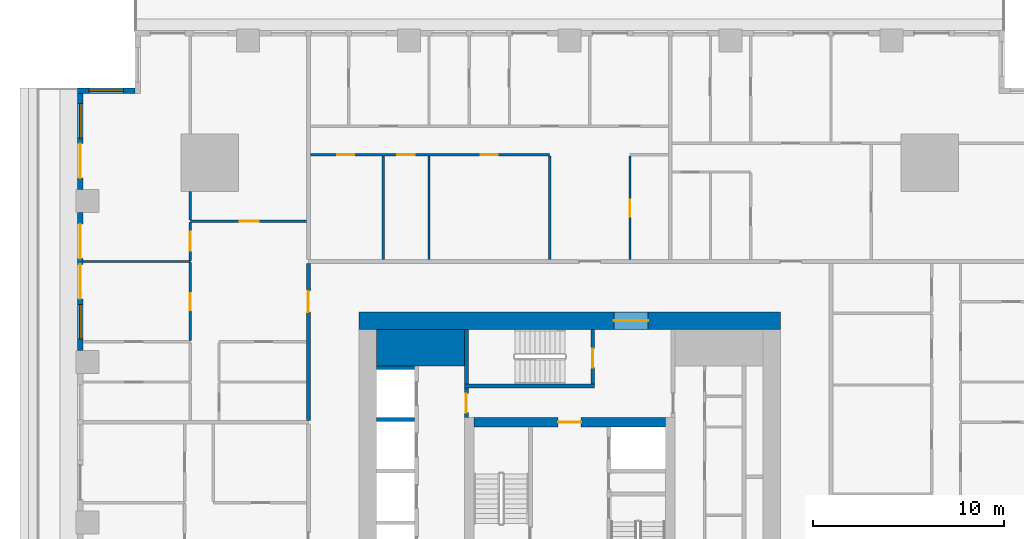
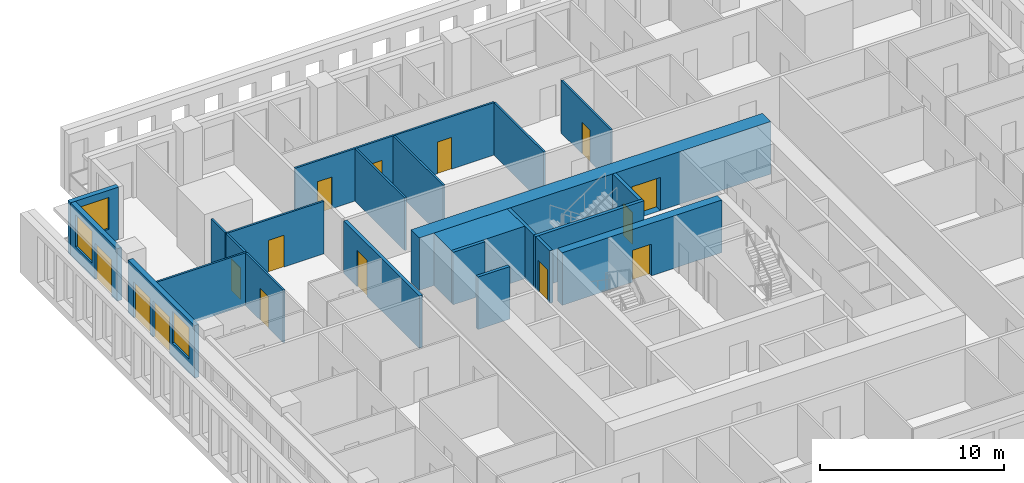
# One storey, part 7 of 15: 23 walls, 15 doors, 3 windows, 18 openings.
"""IFC4 building model written with IfcOpenShell, lengths in metres."""

from ifc_helpers import new_model, si_unit, direction, frame, frame_2d, origin, place, context, subcontext, project, spatial, rectangle, extrude, material, layer, layer_set, type_object, element, fill, save


model = new_model("IFC4")

# Units and contexts
model_context = context("Model", 3, precision=1e-05, world=origin(), true_north=direction((0.0, 1.0)))
body_context = subcontext(model_context, "Body", "Model", "MODEL_VIEW")
ifc_project = project(units=[si_unit("LENGTHUNIT", "METRE"), si_unit("AREAUNIT", "SQUARE_METRE"), si_unit("VOLUMEUNIT", "CUBIC_METRE"), si_unit("PLANEANGLEUNIT", "RADIAN"), si_unit("MASSUNIT", "GRAM", prefix="KILO")], contexts=[model_context])

# Site, building, storey
site_placement = place(None, origin())
site = spatial("IfcSite", under=ifc_project, at=site_placement, CompositionType="ELEMENT")
building_placement = place(site_placement, origin())
building = spatial("IfcBuilding", under=site, at=building_placement, Name="Khepri Terraces", CompositionType="ELEMENT")
storey_placement = place(building_placement, frame((0.0, 0.0, 50.39990234375)))
storey = spatial("IfcBuildingStorey", under=building, at=storey_placement, Name="L11", CompositionType="ELEMENT", Elevation=50.39990234375)

# Walls
ifc_material_1 = material(Name="Concrete C80/95", Category="concrete")
ifc_layer_1 = layer(ifc_material_1, 1.89990234375, Name="Concrete C80/95", Category="concrete")
ifc_layer_set_1 = layer_set([ifc_layer_1], Name="Concrete C80/95")
wall_type_1 = type_object("IfcWallType", Name="Core wall 1900 C80/95", PredefinedType="SHEAR", material=ifc_layer_set_1)
wall_1_placement = place(storey_placement, frame((-10.10009765625, 9.14990234375, 0.0), z_axis=(0.0, 0.0, 1.0), x_axis=(1.0, 0.0, 0.0)))
element("IfcWall", 1, at=wall_1_placement, inside=storey, type_object=wall_type_1, Name="Core wall PR03 L11", PredefinedType="SHEAR", context=body_context, shape_type="SweptSolid", body=[
    extrude(rectangle(XDim=4.60009765625, YDim=1.89990234375, at=frame_2d((2.300048828125, 0.0))), origin(), (0.0, 0.0, 1.0), 3.47998046875),
])
ifc_layer_2 = layer(ifc_material_1, 0.199951171875, Name="Concrete C80/95", Category="concrete")
ifc_layer_set_2 = layer_set([ifc_layer_2], Name="Concrete C80/95")
wall_type_2 = type_object("IfcWallType", Name="Core wall 200 C80/95", PredefinedType="SHEAR", material=ifc_layer_set_2)
wall_2_placement = place(storey_placement, frame((-5.5, 7.14990234375, 0.0), z_axis=(0.0, 0.0, 1.0), x_axis=(1.0, 0.0, 0.0)))
element("IfcWall", 2, at=wall_2_placement, inside=storey, type_object=wall_type_2, Name="Core wall ST05 L11", PredefinedType="SHEAR", context=body_context, shape_type="SweptSolid", body=[
    extrude(rectangle(XDim=6.800048828125, YDim=0.199951171875, at=frame_2d((3.39990234375, 0.0))), origin(), (0.0, 0.0, 1.0), 3.47998046875),
])
wall_3_placement = place(storey_placement, frame((-5.39990234375, 7.25, 0.0), z_axis=(0.0, 0.0, 1.0), x_axis=(0.0, 1.0, 0.0)))
element("IfcWall", 3, at=wall_3_placement, inside=storey, type_object=wall_type_2, Name="Core wall ST06 L11", PredefinedType="SHEAR", context=body_context, shape_type="SweptSolid", body=[
    extrude(rectangle(XDim=2.85009765625, YDim=0.199951171875, at=frame_2d((1.425048828125, 0.0))), origin(), (0.0, 0.0, 1.0), 3.47998046875),
])

# Wall, opening, door
wall_4_placement = place(storey_placement, frame((1.199951171875, 7.25, 0.0), z_axis=(0.0, 0.0, 1.0), x_axis=(0.0, 1.0, 0.0)))
wall_4 = element("IfcWall", 4, at=wall_4_placement, inside=storey, type_object=wall_type_2, Name="Core wall ST07 L11", PredefinedType="SHEAR", context=body_context, shape_type="SweptSolid", body=[
    extrude(rectangle(XDim=2.85009765625, YDim=0.199951171875, at=frame_2d((1.425048828125, 0.0))), origin(), (0.0, 0.0, 1.0), 3.47998046875),
])
opening_1_placement = place(wall_4_placement, frame((0.85009765625, 0.0, 0.0)))
opening_1 = element("IfcOpeningElement", 5, at=opening_1_placement, cuts=wall_4, Name="Opening L11-C15", PredefinedType="OPENING", context=body_context, shape_type="SweptSolid", body=[
    extrude(rectangle(XDim=1.0, YDim=2.10009765625, at=frame_2d((0.5, 1.050048828125))), frame((0.0, 0.10986328125, 0.0), z_axis=(0.0, -1.0, 0.0), x_axis=(1.0, 0.0, 0.0)), (0.0, 0.0, 1.0), 0.219970703125),
])
ifc_material_2 = material(Name="Painted steel", Category="steel")
door_type_1 = type_object("IfcDoorType", Name="DR-CORE-STAIR-1000", OperationType="NOTDEFINED", PredefinedType="DOOR", material=ifc_material_2)
door_1_placement = place(opening_1_placement, origin())
door_1 = element("IfcDoor", 6, at=door_1_placement, inside=storey, type_object=door_type_1, Name="Stair door L11-C15", OperationType="SINGLE_SWING_LEFT", OverallHeight=2.10009765625, OverallWidth=1.0, PredefinedType="DOOR", context=body_context, shape_type="SweptSolid", body=[
    extrude(rectangle(XDim=1.0, YDim=2.10009765625, at=frame_2d((0.5, 1.050048828125))), frame((0.0, 0.02490234375, 0.0), z_axis=(0.0, -1.0, 0.0), x_axis=(1.0, 0.0, 0.0)), (0.0, 0.0, 1.0), 0.050048828125),
])
fill(opening_1, door_1)

# Walls
for number, where, z_axis, x_axis, name in (
    (7, (-10.10009765625, 5.39990234375, 0.0), (0.0, 0.0, 1.0), (1.0, 0.0, 0.0), "Core wall SH19 L11"),
    (8, (-10.10009765625, 8.10009765625, 0.0), (0.0, 0.0, 1.0), (1.0, 0.0, 0.0), "Core wall SH20 L11"),
):
    element("IfcWall", number, at=place(storey_placement, frame(where, z_axis=z_axis, x_axis=x_axis)), inside=storey, type_object=wall_type_2, Name=name, PredefinedType="SHEAR", context=body_context, shape_type="SweptSolid", body=[
        extrude(rectangle(XDim=2.0, YDim=0.199951171875, at=frame_2d((1.0, 0.0))), origin(), (0.0, 0.0, 1.0), 3.47998046875),
    ])

# Wall, opening, door
ifc_layer_3 = layer(ifc_material_1, 0.5, Name="Concrete C80/95", Category="concrete")
ifc_layer_set_3 = layer_set([ifc_layer_3], Name="Concrete C80/95")
wall_type_3 = type_object("IfcWallType", Name="Core wall 500 C80/95", PredefinedType="SHEAR", material=ifc_layer_set_3)
wall_5_placement = place(storey_placement, frame((-5.0, 5.25, 0.0), z_axis=(0.0, 0.0, 1.0), x_axis=(1.0, 0.0, 0.0)))
wall_5 = element("IfcWall", 9, at=wall_5_placement, inside=storey, type_object=wall_type_3, Name="Core wall BX04 L11", PredefinedType="SHEAR", context=body_context, shape_type="SweptSolid", body=[
    extrude(rectangle(XDim=10.0, YDim=0.5, at=frame_2d((5.0, 0.0))), origin(), (0.0, 0.0, 1.0), 3.47998046875),
])
opening_2_placement = place(wall_5_placement, frame((4.39990234375, 0.0, 0.0)))
opening_2 = element("IfcOpeningElement", 10, at=opening_2_placement, cuts=wall_5, Name="Opening L11-C13", PredefinedType="OPENING", context=body_context, shape_type="SweptSolid", body=[
    extrude(rectangle(XDim=1.199951171875, YDim=2.10009765625, at=frame_2d((0.60009765625, 1.050048828125))), frame((0.0, 0.260009765625, 0.0), z_axis=(0.0, -1.0, 0.0), x_axis=(1.0, 0.0, 0.0)), (0.0, 0.0, 1.0), 0.52001953125),
])
door_type_2 = type_object("IfcDoorType", Name="DR-CORE-FF-LOBBY-1200", OperationType="NOTDEFINED", PredefinedType="DOOR", material=ifc_material_2)
door_2_placement = place(opening_2_placement, frame((1.199951171875, 0.0, 0.0), z_axis=(0.0, 0.0, 1.0), x_axis=(-1.0, 0.0, 0.0)))
door_2 = element("IfcDoor", 11, at=door_2_placement, inside=storey, type_object=door_type_2, Name="Firefighting lobby door L11-C13", OperationType="SINGLE_SWING_LEFT", OverallHeight=2.10009765625, OverallWidth=1.199951171875, PredefinedType="DOOR", context=body_context, shape_type="SweptSolid", body=[
    extrude(rectangle(XDim=1.199951171875, YDim=2.10009765625, at=frame_2d((0.60009765625, 1.050048828125))), frame((0.0, 0.02490234375, 0.0), z_axis=(0.0, -1.0, 0.0), x_axis=(1.0, 0.0, 0.0)), (0.0, 0.0, 1.0), 0.050048828125),
])
fill(opening_2, door_2)

ifc_layer_4 = layer(ifc_material_1, 0.89990234375, Name="Concrete C80/95", Category="concrete")
ifc_layer_set_4 = layer_set([ifc_layer_4], Name="Concrete C80/95")
wall_type_4 = type_object("IfcWallType", Name="Core wall 900 C80/95", PredefinedType="SHEAR", material=ifc_layer_set_4)
wall_6_placement = place(storey_placement, frame((-11.0, 10.550048828125, 0.0), z_axis=(0.0, 0.0, 1.0), x_axis=(1.0, 0.0, 0.0)))
wall_6 = element("IfcWall", 12, at=wall_6_placement, inside=storey, type_object=wall_type_4, Name="Core wall OW-N L11", PredefinedType="SHEAR", context=body_context, shape_type="SweptSolid", body=[
    extrude(rectangle(XDim=22.0, YDim=0.89990234375, at=frame_2d((11.0, 0.0))), origin(), (0.0, 0.0, 1.0), 3.47998046875),
])
opening_3_placement = place(wall_6_placement, frame((13.300048828125, 0.0, 0.0)))
opening_3 = element("IfcOpeningElement", 13, at=opening_3_placement, cuts=wall_6, Name="Opening L11-C20", PredefinedType="OPENING", context=body_context, shape_type="SweptSolid", body=[
    extrude(rectangle(XDim=1.800048828125, YDim=2.199951171875, at=frame_2d((0.89990234375, 1.10009765625))), frame((0.0, 0.4599609375, 0.0), z_axis=(0.0, -1.0, 0.0), x_axis=(1.0, 0.0, 0.0)), (0.0, 0.0, 1.0), 0.919921875),
])
door_type_3 = type_object("IfcDoorType", Name="DR-CORE-ENTRANCE-1800", OperationType="NOTDEFINED", PredefinedType="DOOR", material=ifc_material_2)
door_3_placement = place(opening_3_placement, origin())
door_3 = element("IfcDoor", 14, at=door_3_placement, inside=storey, type_object=door_type_3, Name="Core entrance door pair L11-C20", OperationType="DOUBLE_DOOR_SINGLE_SWING", OverallHeight=2.199951171875, OverallWidth=1.800048828125, PredefinedType="DOOR", context=body_context, shape_type="SweptSolid", body=[
    extrude(rectangle(XDim=1.800048828125, YDim=2.199951171875, at=frame_2d((0.89990234375, 1.10009765625))), frame((0.0, 0.02490234375, 0.0), z_axis=(0.0, -1.0, 0.0), x_axis=(1.0, 0.0, 0.0)), (0.0, 0.0, 1.0), 0.050048828125),
])
fill(opening_3, door_3)

ifc_material_3 = material(Name="Fire-rated gypsum board partition")
ifc_layer_5 = layer(ifc_material_3, 0.199951171875, Name="Fire-rated gypsum board partition")
ifc_layer_set_5 = layer_set([ifc_layer_5], Name="Fire-rated gypsum board partition")
wall_type_5 = type_object("IfcWallType", Name="WL-CORE-PART-200", PredefinedType="PARTITIONING", material=ifc_layer_set_5)
wall_7_placement = place(storey_placement, frame((-5.39990234375, 5.5, 0.0), z_axis=(0.0, 0.0, 1.0), x_axis=(0.0, 1.0, 0.0)))
wall_7 = element("IfcWall", 15, at=wall_7_placement, inside=storey, type_object=wall_type_5, Name="Core partition PT08 L11", PredefinedType="PARTITIONING", context=body_context, shape_type="SweptSolid", body=[
    extrude(rectangle(XDim=1.550048828125, YDim=0.199951171875, at=frame_2d((0.77490234375, 0.0))), origin(), (0.0, 0.0, 1.0), 3.47998046875),
])
opening_4_placement = place(wall_7_placement, frame((0.25, 0.0, 0.0)))
opening_4 = element("IfcOpeningElement", 16, at=opening_4_placement, cuts=wall_7, Name="Opening L11-C16", PredefinedType="OPENING", context=body_context, shape_type="SweptSolid", body=[
    extrude(rectangle(XDim=1.0, YDim=2.10009765625, at=frame_2d((0.5, 1.050048828125))), frame((0.0, 0.10986328125, 0.0), z_axis=(0.0, -1.0, 0.0), x_axis=(1.0, 0.0, 0.0)), (0.0, 0.0, 1.0), 0.219970703125),
])
door_type_4 = type_object("IfcDoorType", Name="DR-CORE-LOBBY-1000", OperationType="NOTDEFINED", PredefinedType="DOOR", material=ifc_material_2)
door_4_placement = place(opening_4_placement, frame((1.0, 0.0, 0.0), z_axis=(0.0, 0.0, 1.0), x_axis=(-1.0, 0.0, 0.0)))
door_4 = element("IfcDoor", 17, at=door_4_placement, inside=storey, type_object=door_type_4, Name="Lobby door L11-C16", OperationType="SINGLE_SWING_RIGHT", OverallHeight=2.10009765625, OverallWidth=1.0, PredefinedType="DOOR", context=body_context, shape_type="SweptSolid", body=[
    extrude(rectangle(XDim=1.0, YDim=2.10009765625, at=frame_2d((0.5, 1.050048828125))), frame((0.0, 0.02490234375, 0.0), z_axis=(0.0, -1.0, 0.0), x_axis=(1.0, 0.0, 0.0)), (0.0, 0.0, 1.0), 0.050048828125),
])
fill(opening_4, door_4)

ifc_material_4 = material(Name="Fire-rated gypsum plasterboard partition, mineral wool")
ifc_layer_6 = layer(ifc_material_4, 0.199951171875, Name="Fire-rated gypsum plasterboard partition, mineral wool")
ifc_layer_set_6 = layer_set([ifc_layer_6], Name="Fire-rated gypsum plasterboard partition, mineral wool")
wall_type_6 = type_object("IfcWallType", Name="WL-CORR-200", PredefinedType="PARTITIONING", material=ifc_layer_set_6)
wall_8_placement = place(storey_placement, frame((-13.64990234375, 5.35009765625, 0.0), z_axis=(0.0, 0.0, 1.0), x_axis=(0.0, 1.0, 0.0)))
wall_8 = element("IfcWall", 18, at=wall_8_placement, inside=storey, type_object=wall_type_6, Name="Partition P-065 L11", PredefinedType="PARTITIONING", context=body_context, shape_type="SweptSolid", body=[
    extrude(rectangle(XDim=8.199951171875, YDim=0.199951171875, at=frame_2d((4.10009765625, 0.0))), origin(), (0.0, 0.0, 1.0), 3.47998046875),
])
opening_5_placement = place(wall_8_placement, frame((5.64990234375, 0.0, 0.0)))
opening_5 = element("IfcOpeningElement", 19, at=opening_5_placement, cuts=wall_8, Name="Opening D1", PredefinedType="OPENING", context=body_context, shape_type="SweptSolid", body=[
    extrude(rectangle(XDim=1.10009765625, YDim=2.39990234375, at=frame_2d((0.550048828125, 1.199951171875))), frame((0.0, 0.10986328125, 0.0), z_axis=(0.0, -1.0, 0.0), x_axis=(1.0, 0.0, 0.0)), (0.0, 0.0, 1.0), 0.219970703125),
])
ifc_material_5 = material(Name="Solid-core timber door leaf, flat entrance door", Category="wood")
door_type_5 = type_object("IfcDoorType", Name="DR-ENT-1100", OperationType="NOTDEFINED", PredefinedType="DOOR", material=ifc_material_5)
door_5_placement = place(opening_5_placement, origin())
door_5 = element("IfcDoor", 20, at=door_5_placement, inside=storey, type_object=door_type_5, Name="Flat D1 entrance door", OperationType="SINGLE_SWING_RIGHT", OverallHeight=2.39990234375, OverallWidth=1.10009765625, PredefinedType="DOOR", context=body_context, shape_type="SweptSolid", body=[
    extrude(rectangle(XDim=1.10009765625, YDim=2.39990234375, at=frame_2d((0.550048828125, 1.199951171875))), frame((0.0, 0.02490234375, 0.0), z_axis=(0.0, -1.0, 0.0), x_axis=(1.0, 0.0, 0.0)), (0.0, 0.0, 1.0), 0.050048828125),
])
fill(opening_5, door_5)

# Wall, opening, window
ifc_material_6 = material(Name="Precast concrete C50/60 warm stone", Category="masonry")
ifc_layer_7 = layer(ifc_material_6, 0.300048828125, Name="Precast concrete C50/60 warm stone", Category="masonry")
ifc_layer_set_7 = layer_set([ifc_layer_7], Name="Precast concrete C50/60 warm stone")
wall_type_7 = type_object("IfcWallType", Name="WL-EXT-PRECAST-300", PredefinedType="STANDARD", material=ifc_layer_set_7)
wall_9_placement = place(storey_placement, frame((-22.719970703125, 22.570068359375, 0.0), z_axis=(0.0, 0.0, 1.0), x_axis=(-1.0, 0.0, 0.0)))
wall_9 = element("IfcWall", 21, at=wall_9_placement, inside=storey, type_object=wall_type_7, Name="External wall L11 N", PredefinedType="STANDARD", context=body_context, shape_type="SweptSolid", body=[
    extrude(rectangle(XDim=3.0, YDim=0.300048828125, at=frame_2d((1.5, 0.0))), origin(), (0.0, 0.0, 1.0), 3.47998046875),
])
opening_6_placement = place(wall_9_placement, frame((0.60009765625, 0.0, 0.89990234375)))
opening_6 = element("IfcOpeningElement", 22, at=opening_6_placement, cuts=wall_9, Name="Opening W1", PredefinedType="OPENING", context=body_context, shape_type="SweptSolid", body=[
    extrude(rectangle(XDim=1.800048828125, YDim=2.10009765625, at=frame_2d((0.89990234375, 1.050048828125))), frame((0.0, 0.16015625, 0.0), z_axis=(0.0, -1.0, 0.0), x_axis=(1.0, 0.0, 0.0)), (0.0, 0.0, 1.0), 0.320068359375),
])
ifc_material_7 = material(Name="Clear glass", Category="glass")
window_type = type_object("IfcWindowType", Name="WIN-RES-1800x2100", PartitioningType="SINGLE_PANEL", PredefinedType="WINDOW", material=ifc_material_7)
window_1_placement = place(opening_6_placement, origin())
window_1 = element("IfcWindow", 23, at=window_1_placement, inside=storey, type_object=window_type, Name="Window L11 N", OverallHeight=2.10009765625, OverallWidth=1.800048828125, PartitioningType="SINGLE_PANEL", PredefinedType="WINDOW", context=body_context, shape_type="SweptSolid", body=[
    extrude(rectangle(XDim=1.800048828125, YDim=2.10009765625, at=frame_2d((0.89990234375, 1.050048828125))), frame((0.0, 0.030029296875, 0.0), z_axis=(0.0, -1.0, 0.0), x_axis=(1.0, 0.0, 0.0)), (0.0, 0.0, 1.0), 0.06005859375),
])
fill(opening_6, window_1)

# Wall, openings, door, window
wall_10_placement = place(storey_placement, frame((-25.570068359375, 22.419921875, 0.0), z_axis=(0.0, 0.0, 1.0), x_axis=(0.0, -1.0, 0.0)))
wall_10 = element("IfcWall", 24, at=wall_10_placement, inside=storey, type_object=wall_type_7, Name="External wall L11 W", PredefinedType="STANDARD", context=body_context, shape_type="SweptSolid", body=[
    extrude(rectangle(XDim=5.02001953125, YDim=0.300048828125, at=frame_2d((2.510009765625, 0.0))), origin(), (0.0, 0.0, 1.0), 3.47998046875),
])
opening_7_placement = place(wall_10_placement, frame((0.52001953125, 0.0, 0.89990234375)))
opening_7 = element("IfcOpeningElement", 25, at=opening_7_placement, cuts=wall_10, Name="Opening W1", PredefinedType="OPENING", context=body_context, shape_type="SweptSolid", body=[
    extrude(rectangle(XDim=1.800048828125, YDim=2.10009765625, at=frame_2d((0.89990234375, 1.050048828125))), frame((0.0, 0.16015625, 0.0), z_axis=(0.0, -1.0, 0.0), x_axis=(1.0, 0.0, 0.0)), (0.0, 0.0, 1.0), 0.320068359375),
])
opening_8_placement = place(wall_10_placement, frame((2.6201171875, 0.0, 0.0)))
opening_8 = element("IfcOpeningElement", 26, at=opening_8_placement, cuts=wall_10, Name="Opening ED-L11-11", PredefinedType="OPENING", context=body_context, shape_type="SweptSolid", body=[
    extrude(rectangle(XDim=1.800048828125, YDim=2.39990234375, at=frame_2d((0.89990234375, 1.199951171875))), frame((0.0, 0.16015625, 0.0), z_axis=(0.0, -1.0, 0.0), x_axis=(1.0, 0.0, 0.0)), (0.0, 0.0, 1.0), 0.320068359375),
])
ifc_material_8 = material(Name="Anodised aluminium bronze glazed door", Category="aluminium")
door_type_6 = type_object("IfcDoorType", Name="DR-BAL-SLIDE-1800x2400", OperationType="NOTDEFINED", PredefinedType="DOOR", material=ifc_material_8)
door_6_placement = place(opening_8_placement, origin())
door_6 = element("IfcDoor", 27, at=door_6_placement, inside=storey, type_object=door_type_6, Name="Balcony door L11 W", OperationType="SLIDING_TO_RIGHT", OverallHeight=2.39990234375, OverallWidth=1.800048828125, PredefinedType="DOOR", context=body_context, shape_type="SweptSolid", body=[
    extrude(rectangle(XDim=1.800048828125, YDim=2.39990234375, at=frame_2d((0.89990234375, 1.199951171875))), frame((0.0, 0.02490234375, 0.0), z_axis=(0.0, -1.0, 0.0), x_axis=(1.0, 0.0, 0.0)), (0.0, 0.0, 1.0), 0.050048828125),
])
fill(opening_8, door_6)
window_2_placement = place(opening_7_placement, origin())
window_2 = element("IfcWindow", 28, at=window_2_placement, inside=storey, type_object=window_type, Name="Window L11 W", OverallHeight=2.10009765625, OverallWidth=1.800048828125, PartitioningType="SINGLE_PANEL", PredefinedType="WINDOW", context=body_context, shape_type="SweptSolid", body=[
    extrude(rectangle(XDim=1.800048828125, YDim=2.10009765625, at=frame_2d((0.89990234375, 1.050048828125))), frame((0.0, 0.030029296875, 0.0), z_axis=(0.0, -1.0, 0.0), x_axis=(1.0, 0.0, 0.0)), (0.0, 0.0, 1.0), 0.06005859375),
])
fill(opening_7, window_2)

# Wall, openings, doors, window
wall_11_placement = place(storey_placement, frame((-25.570068359375, 16.199951171875, 0.0), z_axis=(0.0, 0.0, 1.0), x_axis=(0.0, -1.0, 0.0)))
wall_11 = element("IfcWall", 29, at=wall_11_placement, inside=storey, type_object=wall_type_7, Name="External wall L11 W", PredefinedType="STANDARD", context=body_context, shape_type="SweptSolid", body=[
    extrude(rectangle(XDim=7.199951171875, YDim=0.300048828125, at=frame_2d((3.60009765625, 0.0))), origin(), (0.0, 0.0, 1.0), 3.47998046875),
])
opening_9_placement = place(wall_11_placement, frame((0.60009765625, 0.0, 0.0)))
opening_9 = element("IfcOpeningElement", 30, at=opening_9_placement, cuts=wall_11, Name="Opening ED-L11-12", PredefinedType="OPENING", context=body_context, shape_type="SweptSolid", body=[
    extrude(rectangle(XDim=1.800048828125, YDim=2.39990234375, at=frame_2d((0.89990234375, 1.199951171875))), frame((0.0, 0.16015625, 0.0), z_axis=(0.0, -1.0, 0.0), x_axis=(1.0, 0.0, 0.0)), (0.0, 0.0, 1.0), 0.320068359375),
])
opening_10_placement = place(wall_11_placement, frame((2.699951171875, 0.0, 0.0)))
opening_10 = element("IfcOpeningElement", 31, at=opening_10_placement, cuts=wall_11, Name="Opening ED-L11-13", PredefinedType="OPENING", context=body_context, shape_type="SweptSolid", body=[
    extrude(rectangle(XDim=1.800048828125, YDim=2.39990234375, at=frame_2d((0.89990234375, 1.199951171875))), frame((0.0, 0.16015625, 0.0), z_axis=(0.0, -1.0, 0.0), x_axis=(1.0, 0.0, 0.0)), (0.0, 0.0, 1.0), 0.320068359375),
])
opening_11_placement = place(wall_11_placement, frame((4.800048828125, 0.0, 0.89990234375)))
opening_11 = element("IfcOpeningElement", 32, at=opening_11_placement, cuts=wall_11, Name="Opening W1", PredefinedType="OPENING", context=body_context, shape_type="SweptSolid", body=[
    extrude(rectangle(XDim=1.800048828125, YDim=2.10009765625, at=frame_2d((0.89990234375, 1.050048828125))), frame((0.0, 0.16015625, 0.0), z_axis=(0.0, -1.0, 0.0), x_axis=(1.0, 0.0, 0.0)), (0.0, 0.0, 1.0), 0.320068359375),
])
door_7_placement = place(opening_9_placement, origin())
door_7 = element("IfcDoor", 33, at=door_7_placement, inside=storey, type_object=door_type_6, Name="Balcony door L11 W", OperationType="SLIDING_TO_LEFT", OverallHeight=2.39990234375, OverallWidth=1.800048828125, PredefinedType="DOOR", context=body_context, shape_type="SweptSolid", body=[
    extrude(rectangle(XDim=1.800048828125, YDim=2.39990234375, at=frame_2d((0.89990234375, 1.199951171875))), frame((0.0, 0.02490234375, 0.0), z_axis=(0.0, -1.0, 0.0), x_axis=(1.0, 0.0, 0.0)), (0.0, 0.0, 1.0), 0.050048828125),
])
fill(opening_9, door_7)
door_8_placement = place(opening_10_placement, origin())
door_8 = element("IfcDoor", 34, at=door_8_placement, inside=storey, type_object=door_type_6, Name="Balcony door L11 W", OperationType="SLIDING_TO_RIGHT", OverallHeight=2.39990234375, OverallWidth=1.800048828125, PredefinedType="DOOR", context=body_context, shape_type="SweptSolid", body=[
    extrude(rectangle(XDim=1.800048828125, YDim=2.39990234375, at=frame_2d((0.89990234375, 1.199951171875))), frame((0.0, 0.02490234375, 0.0), z_axis=(0.0, -1.0, 0.0), x_axis=(1.0, 0.0, 0.0)), (0.0, 0.0, 1.0), 0.050048828125),
])
fill(opening_10, door_8)
window_3_placement = place(opening_11_placement, origin())
window_3 = element("IfcWindow", 35, at=window_3_placement, inside=storey, type_object=window_type, Name="Window L11 W", OverallHeight=2.10009765625, OverallWidth=1.800048828125, PartitioningType="SINGLE_PANEL", PredefinedType="WINDOW", context=body_context, shape_type="SweptSolid", body=[
    extrude(rectangle(XDim=1.800048828125, YDim=2.10009765625, at=frame_2d((0.89990234375, 1.050048828125))), frame((0.0, 0.030029296875, 0.0), z_axis=(0.0, -1.0, 0.0), x_axis=(1.0, 0.0, 0.0)), (0.0, 0.0, 1.0), 0.06005859375),
])
fill(opening_11, window_3)

# Wall, opening, door
ifc_material_9 = material(Name="Gypsum plasterboard partition")
ifc_layer_8 = layer(ifc_material_9, 0.1201171875, Name="Gypsum plasterboard partition")
ifc_layer_set_8 = layer_set([ifc_layer_8], Name="Gypsum plasterboard partition")
wall_type_8 = type_object("IfcWallType", Name="WL-PART-120", PredefinedType="PARTITIONING", material=ifc_layer_set_8)
wall_12_placement = place(storey_placement, frame((-19.820068359375, 9.510009765625, 0.0), z_axis=(0.0, 0.0, 1.0), x_axis=(0.0, 1.0, 0.0)))
wall_12 = element("IfcWall", 36, at=wall_12_placement, inside=storey, type_object=wall_type_8, Name="Partition P-076 L11", PredefinedType="PARTITIONING", context=body_context, shape_type="SweptSolid", body=[
    extrude(rectangle(XDim=4.080078125, YDim=0.1201171875, at=frame_2d((2.0400390625, 0.0))), origin(), (0.0, 0.0, 1.0), 3.47998046875),
])
opening_12_placement = place(wall_12_placement, frame((1.590087890625, 0.0, 0.0)))
opening_12 = element("IfcOpeningElement", 37, at=opening_12_placement, cuts=wall_12, Name="Opening D3", PredefinedType="OPENING", context=body_context, shape_type="SweptSolid", body=[
    extrude(rectangle(XDim=0.89990234375, YDim=2.10009765625, at=frame_2d((0.449951171875, 1.050048828125))), frame((0.0, 0.070068359375, 0.0), z_axis=(0.0, -1.0, 0.0), x_axis=(1.0, 0.0, 0.0)), (0.0, 0.0, 1.0), 0.14013671875),
])
ifc_material_10 = material(Name="Timber door leaf", Category="wood")
door_type_7 = type_object("IfcDoorType", Name="DR-INT-900", OperationType="NOTDEFINED", PredefinedType="DOOR", material=ifc_material_10)
door_9_placement = place(opening_12_placement, origin())
door_9 = element("IfcDoor", 38, at=door_9_placement, inside=storey, type_object=door_type_7, Name="Door Master Bedroom", OperationType="SINGLE_SWING_RIGHT", OverallHeight=2.10009765625, OverallWidth=0.89990234375, PredefinedType="DOOR", context=body_context, shape_type="SweptSolid", body=[
    extrude(rectangle(XDim=0.89990234375, YDim=2.10009765625, at=frame_2d((0.449951171875, 1.050048828125))), frame((0.0, 0.02490234375, 0.0), z_axis=(0.0, -1.0, 0.0), x_axis=(1.0, 0.0, 0.0)), (0.0, 0.0, 1.0), 0.050048828125),
])
fill(opening_12, door_9)

# Wall
wall_13_placement = place(storey_placement, frame((-25.419921875, 13.64990234375, 0.0), z_axis=(0.0, 0.0, 1.0), x_axis=(1.0, 0.0, 0.0)))
element("IfcWall", 39, at=wall_13_placement, inside=storey, type_object=wall_type_8, Name="Partition P-081 L11", PredefinedType="PARTITIONING", context=body_context, shape_type="SweptSolid", body=[
    extrude(rectangle(XDim=5.599853515625, YDim=0.1201171875, at=frame_2d((2.7998046875, 0.0))), origin(), (0.0, 0.0, 1.0), 3.47998046875),
])

# Wall, opening, door
wall_14_placement = place(storey_placement, frame((-19.820068359375, 13.7099609375, 0.0), z_axis=(0.0, 0.0, 1.0), x_axis=(0.0, 1.0, 0.0)))
wall_14 = element("IfcWall", 40, at=wall_14_placement, inside=storey, type_object=wall_type_8, Name="Partition P-083 L11", PredefinedType="PARTITIONING", context=body_context, shape_type="SweptSolid", body=[
    extrude(rectangle(XDim=1.97998046875, YDim=0.1201171875, at=frame_2d((0.989990234375, 0.0))), origin(), (0.0, 0.0, 1.0), 3.47998046875),
])
opening_13_placement = place(wall_14_placement, frame((0.489990234375, 0.0, 0.0)))
opening_13 = element("IfcOpeningElement", 41, at=opening_13_placement, cuts=wall_14, Name="Opening D2", PredefinedType="OPENING", context=body_context, shape_type="SweptSolid", body=[
    extrude(rectangle(XDim=1.0, YDim=2.10009765625, at=frame_2d((0.5, 1.050048828125))), frame((0.0, 0.070068359375, 0.0), z_axis=(0.0, -1.0, 0.0), x_axis=(1.0, 0.0, 0.0)), (0.0, 0.0, 1.0), 0.14013671875),
])
ifc_material_11 = material(Name="Timber door leaf, living room door", Category="wood")
door_type_8 = type_object("IfcDoorType", Name="DR-INT-1000", OperationType="NOTDEFINED", PredefinedType="DOOR", material=ifc_material_11)
door_10_placement = place(opening_13_placement, origin())
door_10 = element("IfcDoor", 42, at=door_10_placement, inside=storey, type_object=door_type_8, Name="Door Living Room", OperationType="SINGLE_SWING_LEFT", OverallHeight=2.10009765625, OverallWidth=1.0, PredefinedType="DOOR", context=body_context, shape_type="SweptSolid", body=[
    extrude(rectangle(XDim=1.0, YDim=2.10009765625, at=frame_2d((0.5, 1.050048828125))), frame((0.0, 0.02490234375, 0.0), z_axis=(0.0, -1.0, 0.0), x_axis=(1.0, 0.0, 0.0)), (0.0, 0.0, 1.0), 0.050048828125),
])
fill(opening_13, door_10)

# Walls
for number, where, z_axis, x_axis, name in (
    (43, (-9.75, 13.75, 0.0), (0.0, 0.0, 1.0), (0.0, 1.0, 0.0), "Partition P-085 L11"),
    (44, (-7.35009765625, 13.75, 0.0), (0.0, 0.0, 1.0), (0.0, 1.0, 0.0), "Partition P-086 L11"),
    (45, (-1.050048828125, 13.75, 0.0), (0.0, 0.0, 1.0), (0.0, 1.0, 0.0), "Partition P-087 L11"),
):
    element("IfcWall", number, at=place(storey_placement, frame(where, z_axis=z_axis, x_axis=x_axis)), inside=storey, type_object=wall_type_8, Name=name, PredefinedType="PARTITIONING", context=body_context, shape_type="SweptSolid", body=[
        extrude(rectangle(XDim=5.409912109375, YDim=0.1201171875, at=frame_2d((2.705078125, 0.0))), origin(), (0.0, 0.0, 1.0), 3.47998046875),
    ])

# Wall, opening, door
wall_15_placement = place(storey_placement, frame((3.14990234375, 13.75, 0.0), z_axis=(0.0, 0.0, 1.0), x_axis=(0.0, 1.0, 0.0)))
wall_15 = element("IfcWall", 46, at=wall_15_placement, inside=storey, type_object=wall_type_8, Name="Partition P-088 L11", PredefinedType="PARTITIONING", context=body_context, shape_type="SweptSolid", body=[
    extrude(rectangle(XDim=5.409912109375, YDim=0.1201171875, at=frame_2d((2.705078125, 0.0))), origin(), (0.0, 0.0, 1.0), 3.47998046875),
])
opening_14_placement = place(wall_15_placement, frame((2.235107421875, 0.0, 0.0)))
opening_14 = element("IfcOpeningElement", 47, at=opening_14_placement, cuts=wall_15, Name="Opening D3", PredefinedType="OPENING", context=body_context, shape_type="SweptSolid", body=[
    extrude(rectangle(XDim=0.89990234375, YDim=2.10009765625, at=frame_2d((0.449951171875, 1.050048828125))), frame((0.0, 0.070068359375, 0.0), z_axis=(0.0, -1.0, 0.0), x_axis=(1.0, 0.0, 0.0)), (0.0, 0.0, 1.0), 0.14013671875),
])
door_11_placement = place(opening_14_placement, frame((0.89990234375, 0.0, 0.0), z_axis=(0.0, 0.0, 1.0), x_axis=(-1.0, 0.0, 0.0)))
door_11 = element("IfcDoor", 48, at=door_11_placement, inside=storey, type_object=door_type_7, Name="Door Utility Room", OperationType="SINGLE_SWING_RIGHT", OverallHeight=2.10009765625, OverallWidth=0.89990234375, PredefinedType="DOOR", context=body_context, shape_type="SweptSolid", body=[
    extrude(rectangle(XDim=0.89990234375, YDim=2.10009765625, at=frame_2d((0.449951171875, 1.050048828125))), frame((0.0, 0.02490234375, 0.0), z_axis=(0.0, -1.0, 0.0), x_axis=(1.0, 0.0, 0.0)), (0.0, 0.0, 1.0), 0.050048828125),
])
fill(opening_14, door_11)

wall_16_placement = place(storey_placement, frame((-19.820068359375, 15.75, 0.0), z_axis=(0.0, 0.0, 1.0), x_axis=(1.0, 0.0, 0.0)))
wall_16 = element("IfcWall", 49, at=wall_16_placement, inside=storey, type_object=wall_type_8, Name="Partition P-093 L11", PredefinedType="PARTITIONING", context=body_context, shape_type="SweptSolid", body=[
    extrude(rectangle(XDim=6.070068359375, YDim=0.1201171875, at=frame_2d((3.03515625, 0.0))), origin(), (0.0, 0.0, 1.0), 3.47998046875),
])
opening_15_placement = place(wall_16_placement, frame((2.5849609375, 0.0, 0.0)))
opening_15 = element("IfcOpeningElement", 50, at=opening_15_placement, cuts=wall_16, Name="Opening D2", PredefinedType="OPENING", context=body_context, shape_type="SweptSolid", body=[
    extrude(rectangle(XDim=1.0, YDim=2.10009765625, at=frame_2d((0.5, 1.050048828125))), frame((0.0, 0.070068359375, 0.0), z_axis=(0.0, -1.0, 0.0), x_axis=(1.0, 0.0, 0.0)), (0.0, 0.0, 1.0), 0.14013671875),
])
door_12_placement = place(opening_15_placement, origin())
door_12 = element("IfcDoor", 51, at=door_12_placement, inside=storey, type_object=door_type_8, Name="Door Family Room", OperationType="SINGLE_SWING_RIGHT", OverallHeight=2.10009765625, OverallWidth=1.0, PredefinedType="DOOR", context=body_context, shape_type="SweptSolid", body=[
    extrude(rectangle(XDim=1.0, YDim=2.10009765625, at=frame_2d((0.5, 1.050048828125))), frame((0.0, 0.02490234375, 0.0), z_axis=(0.0, -1.0, 0.0), x_axis=(1.0, 0.0, 0.0)), (0.0, 0.0, 1.0), 0.050048828125),
])
fill(opening_15, door_12)

# Wall
wall_17_placement = place(storey_placement, frame((-19.820068359375, 15.81005859375, 0.0), z_axis=(0.0, 0.0, 1.0), x_axis=(0.0, 1.0, 0.0)))
element("IfcWall", 52, at=wall_17_placement, inside=storey, type_object=wall_type_8, Name="Partition P-094 L11", PredefinedType="PARTITIONING", context=body_context, shape_type="SweptSolid", body=[
    extrude(rectangle(XDim=1.489990234375, YDim=0.1201171875, at=frame_2d((0.7451171875, 0.0))), origin(), (0.0, 0.0, 1.0), 3.47998046875),
])

# Wall, openings, doors
wall_18_placement = place(storey_placement, frame((-13.550048828125, 19.219970703125, 0.0), z_axis=(0.0, 0.0, 1.0), x_axis=(1.0, 0.0, 0.0)))
wall_18 = element("IfcWall", 53, at=wall_18_placement, inside=storey, type_object=wall_type_8, Name="Partition P-096 L11", PredefinedType="PARTITIONING", context=body_context, shape_type="SweptSolid", body=[
    extrude(rectangle(XDim=12.5, YDim=0.1201171875, at=frame_2d((6.25, 0.0))), origin(), (0.0, 0.0, 1.0), 3.47998046875),
])
opening_16_placement = place(wall_18_placement, frame((8.89990234375, 0.0, 0.0)))
opening_16 = element("IfcOpeningElement", 54, at=opening_16_placement, cuts=wall_18, Name="Opening D3", PredefinedType="OPENING", context=body_context, shape_type="SweptSolid", body=[
    extrude(rectangle(XDim=0.89990234375, YDim=2.10009765625, at=frame_2d((0.449951171875, 1.050048828125))), frame((0.0, 0.070068359375, 0.0), z_axis=(0.0, -1.0, 0.0), x_axis=(1.0, 0.0, 0.0)), (0.0, 0.0, 1.0), 0.14013671875),
])
opening_17_placement = place(wall_18_placement, frame((4.550048828125, 0.0, 0.0)))
opening_17 = element("IfcOpeningElement", 55, at=opening_17_placement, cuts=wall_18, Name="Opening D4", PredefinedType="OPENING", context=body_context, shape_type="SweptSolid", body=[
    extrude(rectangle(XDim=0.89990234375, YDim=2.10009765625, at=frame_2d((0.449951171875, 1.050048828125))), frame((0.0, 0.070068359375, 0.0), z_axis=(0.0, -1.0, 0.0), x_axis=(1.0, 0.0, 0.0)), (0.0, 0.0, 1.0), 0.14013671875),
])
opening_18_placement = place(wall_18_placement, frame((1.39990234375, 0.0, 0.0)))
opening_18 = element("IfcOpeningElement", 56, at=opening_18_placement, cuts=wall_18, Name="Opening D4", PredefinedType="OPENING", context=body_context, shape_type="SweptSolid", body=[
    extrude(rectangle(XDim=0.89990234375, YDim=2.10009765625, at=frame_2d((0.449951171875, 1.050048828125))), frame((0.0, 0.070068359375, 0.0), z_axis=(0.0, -1.0, 0.0), x_axis=(1.0, 0.0, 0.0)), (0.0, 0.0, 1.0), 0.14013671875),
])
door_13_placement = place(opening_16_placement, frame((0.89990234375, 0.0, 0.0), z_axis=(0.0, 0.0, 1.0), x_axis=(-1.0, 0.0, 0.0)))
door_13 = element("IfcDoor", 57, at=door_13_placement, inside=storey, type_object=door_type_7, Name="Door Kitchen", OperationType="SINGLE_SWING_LEFT", OverallHeight=2.10009765625, OverallWidth=0.89990234375, PredefinedType="DOOR", context=body_context, shape_type="SweptSolid", body=[
    extrude(rectangle(XDim=0.89990234375, YDim=2.10009765625, at=frame_2d((0.449951171875, 1.050048828125))), frame((0.0, 0.02490234375, 0.0), z_axis=(0.0, -1.0, 0.0), x_axis=(1.0, 0.0, 0.0)), (0.0, 0.0, 1.0), 0.050048828125),
])
fill(opening_16, door_13)
ifc_material_12 = material(Name="Timber door leaf, moisture resistant", Category="wood")
door_type_9 = type_object("IfcDoorType", Name="DR-WET-900", OperationType="NOTDEFINED", PredefinedType="DOOR", material=ifc_material_12)
door_14_placement = place(opening_17_placement, frame((0.89990234375, 0.0, 0.0), z_axis=(0.0, 0.0, 1.0), x_axis=(-1.0, 0.0, 0.0)))
door_14 = element("IfcDoor", 58, at=door_14_placement, inside=storey, type_object=door_type_9, Name="Door Powder Room", OperationType="SINGLE_SWING_RIGHT", OverallHeight=2.10009765625, OverallWidth=0.89990234375, PredefinedType="DOOR", context=body_context, shape_type="SweptSolid", body=[
    extrude(rectangle(XDim=0.89990234375, YDim=2.10009765625, at=frame_2d((0.449951171875, 1.050048828125))), frame((0.0, 0.02490234375, 0.0), z_axis=(0.0, -1.0, 0.0), x_axis=(1.0, 0.0, 0.0)), (0.0, 0.0, 1.0), 0.050048828125),
])
fill(opening_17, door_14)
door_15_placement = place(opening_18_placement, frame((0.89990234375, 0.0, 0.0), z_axis=(0.0, 0.0, 1.0), x_axis=(-1.0, 0.0, 0.0)))
door_15 = element("IfcDoor", 59, at=door_15_placement, inside=storey, type_object=door_type_9, Name="Door Guest Bathroom", OperationType="SINGLE_SWING_RIGHT", OverallHeight=2.10009765625, OverallWidth=0.89990234375, PredefinedType="DOOR", context=body_context, shape_type="SweptSolid", body=[
    extrude(rectangle(XDim=0.89990234375, YDim=2.10009765625, at=frame_2d((0.449951171875, 1.050048828125))), frame((0.0, 0.02490234375, 0.0), z_axis=(0.0, -1.0, 0.0), x_axis=(1.0, 0.0, 0.0)), (0.0, 0.0, 1.0), 0.050048828125),
])
fill(opening_18, door_15)

save(model, "model.ifc")
